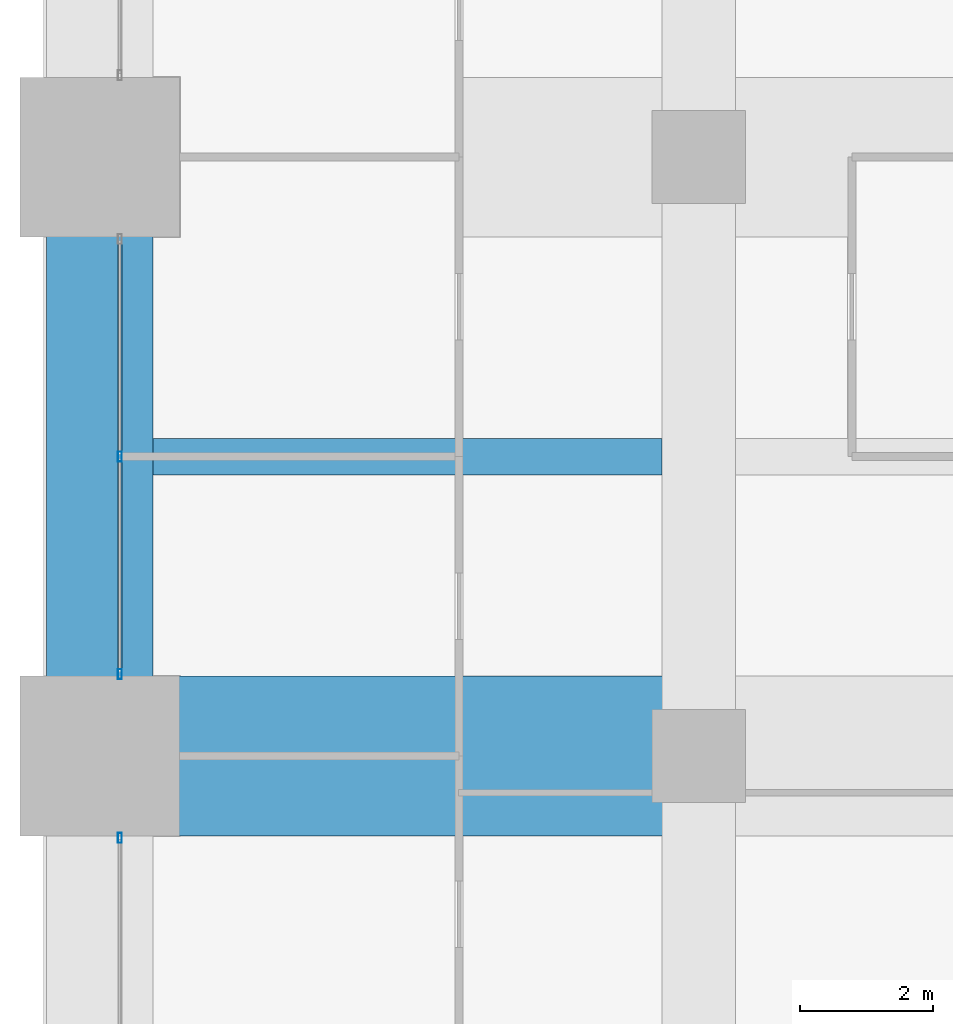
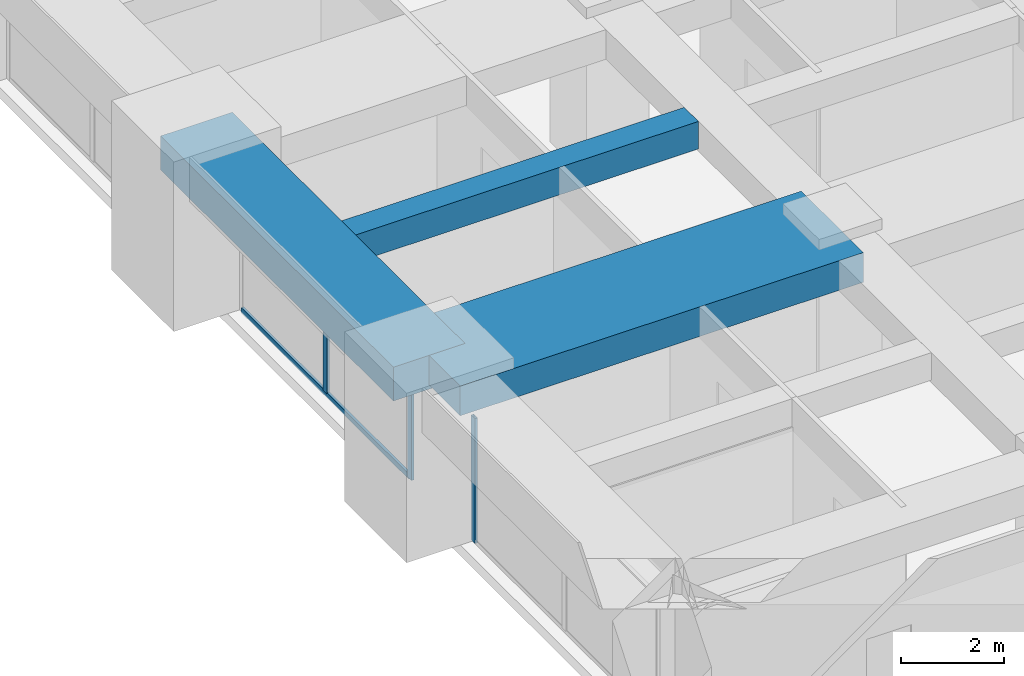
# One storey, part 9 of 35: 4 members, 3 beams, 2 elements without a shape of their own.
"""IFC4 building model written with IfcOpenShell, lengths in metres."""

from ifc_helpers import new_model, si_unit, direction, frame, origin, origin_2d, place, context, subcontext, project, spatial, rectangle, hollow_rectangle, extrude, material, material_profile, profile_set, type_object, element, aggregate, save


model = new_model("IFC4")

# Units and contexts
model_context = context("Model", 3, precision=1e-05, world=origin(), true_north=direction((0.0, 1.0)))
body_context = subcontext(model_context, "Body", "Model", "MODEL_VIEW")
ifc_project = project(units=[si_unit("LENGTHUNIT", "METRE"), si_unit("AREAUNIT", "SQUARE_METRE"), si_unit("VOLUMEUNIT", "CUBIC_METRE"), si_unit("PLANEANGLEUNIT", "RADIAN"), si_unit("MASSUNIT", "GRAM", prefix="KILO")], contexts=[model_context])

# Site, building, storey
site_placement = place(None, origin())
site = spatial("IfcSite", under=ifc_project, at=site_placement, CompositionType="ELEMENT")
building_placement = place(site_placement, origin())
building = spatial("IfcBuilding", under=site, at=building_placement, Name="Zorevar Civic Tower", CompositionType="ELEMENT")
storey_placement = place(building_placement, frame((0.0, 0.0, 222.199951171875)))
storey = spatial("IfcBuildingStorey", under=building, at=storey_placement, Name="L54", CompositionType="ELEMENT", Elevation=222.199951171875)

# Beams
ifc_material_1 = material(Name="Concrete C50/60", Category="concrete")
ifc_material_profile_1 = material_profile(ifc_material_1, rectangle(XDim=2.39990234375, YDim=0.699951171875, at=origin_2d()), Name="RC 2400x700")
ifc_profile_set_1 = profile_set([ifc_material_profile_1], Name="Concrete C50/60")
beam_type_1 = type_object("IfcBeamType", Name="Beam RC 2400x700", PredefinedType="BEAM", material=ifc_profile_set_1)
beam_1_placement = place(storey_placement, frame((0.0, 18.0, 3.400146484375), z_axis=(1.0, 0.0, 0.0), x_axis=(0.0, 1.0, 0.0)))
element("IfcBeam", 1, at=beam_1_placement, inside=storey, type_object=beam_type_1, Name="Girder L55", PredefinedType="BEAM", context=body_context, shape_type="SweptSolid", body=[
    extrude(rectangle(XDim=2.39990234375, YDim=0.699951171875, at=origin_2d()), origin(), (0.0, 0.0, 1.0), 9.0),
])
ifc_material_2 = material(Name="Concrete C50/60", Category="concrete")
ifc_material_profile_2 = material_profile(ifc_material_2, rectangle(XDim=0.550048828125, YDim=0.64990234375, at=origin_2d()), Name="RC 550x650")
ifc_profile_set_2 = profile_set([ifc_material_profile_2], Name="Concrete C50/60")
beam_type_2 = type_object("IfcBeamType", Name="Beam RC 550x650", PredefinedType="BEAM", material=ifc_profile_set_2)
beam_2_placement = place(storey_placement, frame((0.800048828125, 22.5, 3.425048828125), z_axis=(1.0, 0.0, 0.0), x_axis=(0.0, 1.0, 0.0)))
element("IfcBeam", 2, at=beam_2_placement, inside=storey, type_object=beam_type_2, Name="Secondary beam L55", PredefinedType="BEAM", context=body_context, shape_type="SweptSolid", body=[
    extrude(rectangle(XDim=0.550048828125, YDim=0.64990234375, at=origin_2d()), origin(), (0.0, 0.0, 1.0), 7.64990234375),
])

# Curtain wall, member
ifc_material_3 = material(Name="Dark grey solar-control glass in black aluminium frame", Category="aluminium")
curtain_wall_type = type_object("IfcCurtainWallType", Name="Curtain wall CW4 high zone", PredefinedType="NOTDEFINED", material=ifc_material_3)
curtain_wall_1_placement = place(storey_placement, origin())
curtain_wall_1 = element("IfcCurtainWall", 3, at=curtain_wall_1_placement, inside=storey, type_object=curtain_wall_type, Name="CW4 L54", PredefinedType="NOTDEFINED")
ifc_material_4 = material(Name="Aluminium, black anodised", Category="aluminium")
ifc_material_profile_3 = material_profile(ifc_material_4, hollow_rectangle(XDim=0.06005859375, YDim=0.14990234375, WallThickness=0.00390625, at=origin_2d()), Name="AL 150x60x4")
ifc_profile_set_3 = profile_set([ifc_material_profile_3], Name="Aluminium, black anodised")
member_type_1 = type_object("IfcMemberType", Name="CW4 mullion AL 150x60x4", PredefinedType="MULLION", material=ifc_profile_set_3)
member_1_placement = place(storey_placement, frame((0.300048828125, 16.77001953125, 0.0), z_axis=(0.0, 0.0, 1.0), x_axis=(-1.0, 0.0, 0.0)))
member_1 = element("IfcMember", 4, at=member_1_placement, type_object=member_type_1, Name="CW4 mullion 3", PredefinedType="MULLION", context=body_context, shape_type="SweptSolid", body=[
    extrude(hollow_rectangle(XDim=0.06005859375, YDim=0.14990234375, WallThickness=0.00390625, at=origin_2d()), origin(), (0.0, 0.0, 1.0), 2.949951171875),
])
aggregate(curtain_wall_1, [member_1])

# Curtain wall, members
curtain_wall_2_placement = place(storey_placement, origin())
curtain_wall_2 = element("IfcCurtainWall", 5, at=curtain_wall_2_placement, inside=storey, type_object=curtain_wall_type, Name="CW4 L54", PredefinedType="NOTDEFINED")
member_2_placement = place(storey_placement, frame((0.300048828125, 19.22998046875, 0.0), z_axis=(0.0, 0.0, 1.0), x_axis=(-1.0, 0.0, 0.0)))
member_2 = element("IfcMember", 6, at=member_2_placement, type_object=member_type_1, Name="CW4 mullion 1", PredefinedType="MULLION", context=body_context, shape_type="SweptSolid", body=[
    extrude(hollow_rectangle(XDim=0.06005859375, YDim=0.14990234375, WallThickness=0.00390625, at=origin_2d()), origin(), (0.0, 0.0, 1.0), 2.949951171875),
])
member_3_placement = place(storey_placement, frame((0.300048828125, 22.5, 0.06005859375), z_axis=(0.0, 0.0, 1.0), x_axis=(-1.0, 0.0, 0.0)))
member_3 = element("IfcMember", 7, at=member_3_placement, type_object=member_type_1, Name="CW4 mullion 2", PredefinedType="MULLION", context=body_context, shape_type="SweptSolid", body=[
    extrude(hollow_rectangle(XDim=0.06005859375, YDim=0.14990234375, WallThickness=0.00390625, at=origin_2d()), origin(), (0.0, 0.0, 1.0), 2.889892578125),
])
ifc_material_5 = material(Name="Aluminium, black anodised", Category="aluminium")
ifc_material_profile_4 = material_profile(ifc_material_5, hollow_rectangle(XDim=0.06005859375, YDim=0.1201171875, WallThickness=0.0029296875, at=origin_2d()), Name="AL 120x60x3")
ifc_profile_set_4 = profile_set([ifc_material_profile_4], Name="Aluminium, black anodised")
member_type_2 = type_object("IfcMemberType", Name="CW4 transom AL 120x60x3", PredefinedType="USERDEFINED", material=ifc_profile_set_4)
member_4_placement = place(storey_placement, frame((0.300048828125, 19.260009765625, 0.030029296875), z_axis=(0.0, 1.0, 0.0), x_axis=(-1.0, 0.0, 0.0)))
member_4 = element("IfcMember", 8, at=member_4_placement, type_object=member_type_2, Name="CW4 sill transom", ObjectType="TRANSOM", PredefinedType="USERDEFINED", context=body_context, shape_type="SweptSolid", body=[
    extrude(hollow_rectangle(XDim=0.06005859375, YDim=0.1201171875, WallThickness=0.0029296875, at=origin_2d()), origin(), (0.0, 0.0, 1.0), 6.47998046875),
])
aggregate(curtain_wall_2, [member_2, member_3, member_4])

# Beam
ifc_material_6 = material(Name="Concrete C50/60", Category="concrete")
ifc_material_profile_5 = material_profile(ifc_material_6, rectangle(XDim=1.60009765625, YDim=0.800048828125, at=origin_2d()), Name="RC 1600x800")
ifc_profile_set_5 = profile_set([ifc_material_profile_5], Name="Concrete C50/60")
beam_type_3 = type_object("IfcBeamType", Name="Edge beam RC 1600x800", PredefinedType="SPANDREL", material=ifc_profile_set_5)
beam_3_placement = place(storey_placement, frame((0.0, 18.0, 3.35009765625), z_axis=(0.0, 1.0, 0.0), x_axis=(-1.0, 0.0, 0.0)))
element("IfcBeam", 9, at=beam_3_placement, inside=storey, type_object=beam_type_3, Name="Edge beam L55", PredefinedType="SPANDREL", context=body_context, shape_type="SweptSolid", body=[
    extrude(rectangle(XDim=1.60009765625, YDim=0.800048828125, at=origin_2d()), origin(), (0.0, 0.0, 1.0), 9.0),
])

save(model, "model.ifc")
